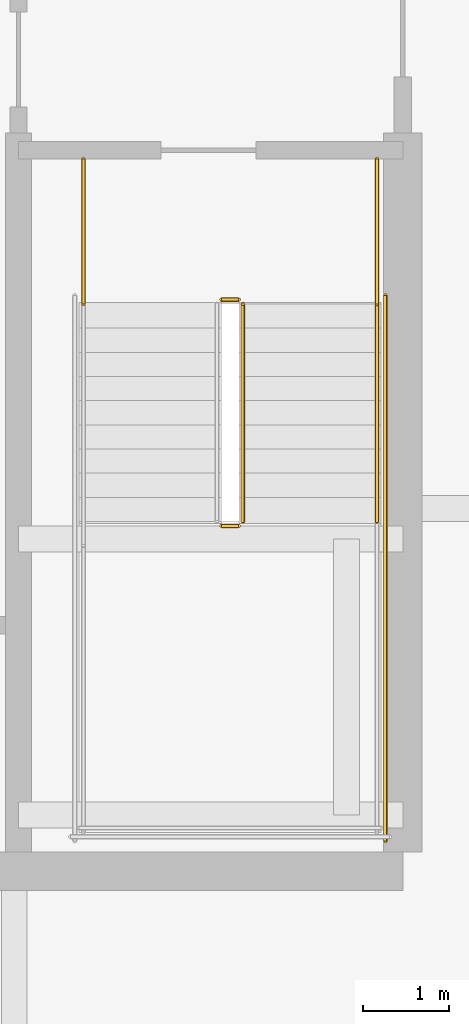
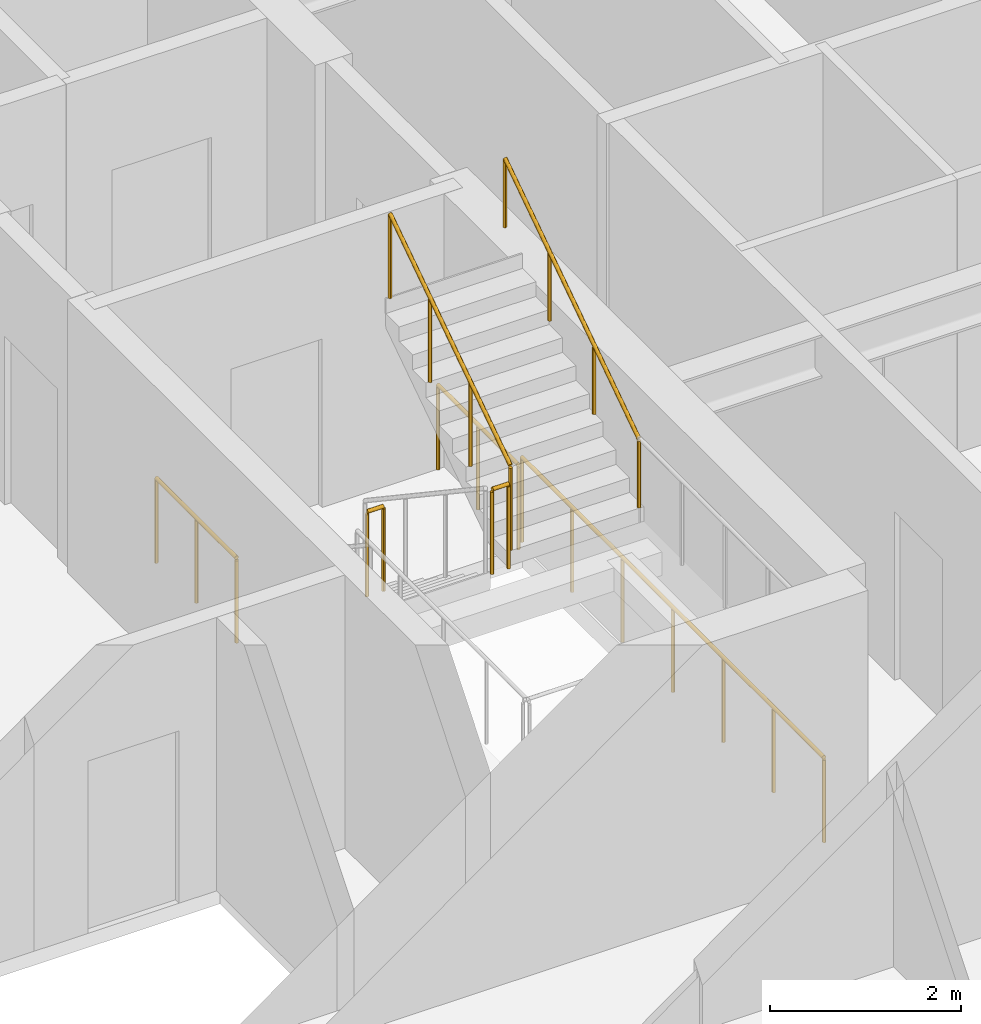
# One storey, part 32 of 34: 7 railings.
"""IFC4 building model written with IfcOpenShell, lengths in metres."""

import ifcopenshell
import ifcopenshell.guid

model = None  # the IFC model being written
_history = None  # IfcOwnerHistory: only IFC2X3 demands one
_inside = {}  # id of a spatial element -> (the spatial element, [elements in it])
_under = {}  # id of a project, library or spatial element -> (it, [spatial elements below it])
_declared = {}  # id of a project -> (the project, [libraries it declares])
_typed = {}  # id of a type object -> (the type object, [elements of that type])
_made_of = {}  # id of a material, layer set ... -> (it, [elements and type objects made of it])


def new_model(schema):
    """Start an empty IFC model of exactly this schema.

    Asked for "IFC4X3", IfcOpenShell would pick the latest addendum, in which some entities
    have other attributes; the version numbers below select the first issue.
    IFC2X3 requires an IfcOwnerHistory on every rooted entity: one is made here for all.
    """
    global model, _history
    if schema == "IFC4X3":
        model = ifcopenshell.file(schema_version=(4, 3, 0, 0))
    else:
        model = ifcopenshell.file(schema=schema)
    _inside.clear()
    _under.clear()
    _declared.clear()
    _typed.clear()
    _made_of.clear()
    _history = None
    if model.schema == "IFC2X3":
        org = make("IfcOrganization", Name="unknown")
        user = make(
            "IfcPersonAndOrganization",
            ThePerson=make("IfcPerson", FamilyName="unknown"),
            TheOrganization=org,
        )
        app = make(
            "IfcApplication",
            ApplicationDeveloper=org,
            Version="unknown",
            ApplicationFullName="unknown",
            ApplicationIdentifier="unknown",
        )
        _history = make(
            "IfcOwnerHistory",
            OwningUser=user,
            OwningApplication=app,
            ChangeAction="ADDED",
            CreationDate=0,
        )
    return model


def make(cls, **values):
    """One entity of the class cls with the attributes given. An attribute that is None is left unset."""
    return model.create_entity(
        cls, **{name: value for name, value in values.items() if value is not None}
    )


def rooted(cls, **values):
    """An entity with a GlobalId (a new one), such as an element, a storey or a relation."""
    return make(cls, GlobalId=ifcopenshell.guid.new(), OwnerHistory=_history, **values)


def si_unit(unit_type, name, prefix=None):
    """IfcSIUnit, for example si_unit("LENGTHUNIT", "METRE", prefix="MILLI")."""
    return make("IfcSIUnit", UnitType=unit_type, Prefix=prefix, Name=name)


def assignment(units):
    """IfcUnitAssignment: the units of a project."""
    return None if units is None else make("IfcUnitAssignment", Units=units)


def point(xyz):
    """IfcCartesianPoint."""
    return None if xyz is None else make("IfcCartesianPoint", Coordinates=xyz)


def direction(xyz):
    """IfcDirection."""
    return None if xyz is None else make("IfcDirection", DirectionRatios=xyz)


def frame(location, z_axis=None, x_axis=None):
    """IfcAxis2Placement3D, a coordinate frame: its origin and axes. An axis left out is left unset."""
    return make(
        "IfcAxis2Placement3D",
        Location=point(location),
        Axis=direction(z_axis),
        RefDirection=direction(x_axis),
    )


def frame_2d(location, x_axis=None):
    """IfcAxis2Placement2D, a coordinate frame in the plane: its origin and x axis."""
    return make(
        "IfcAxis2Placement2D", Location=point(location), RefDirection=direction(x_axis)
    )


def origin():
    """The frame at (0, 0, 0) with its axes left unset."""
    return frame((0.0, 0.0, 0.0))


def origin_2d():
    """The frame at (0, 0) in the plane with its x axis left unset."""
    return frame_2d((0.0, 0.0))


def place(relative_to, where):
    """IfcLocalPlacement: puts the frame where relative to a parent placement (None: the world)."""
    return make(
        "IfcLocalPlacement", PlacementRelTo=relative_to, RelativePlacement=where
    )


def context(
    kind, dimensions, precision=None, world=None, true_north=None, identifier=None
):
    """IfcGeometricRepresentationContext, for example the 3D "Model" context."""
    return make(
        "IfcGeometricRepresentationContext",
        ContextIdentifier=identifier,
        ContextType=kind,
        CoordinateSpaceDimension=dimensions,
        Precision=precision,
        WorldCoordinateSystem=world,
        TrueNorth=true_north,
    )


def subcontext(parent, identifier, kind, view, scale=None):
    """IfcGeometricRepresentationSubContext, for example "Body" below "Model"."""
    return make(
        "IfcGeometricRepresentationSubContext",
        ContextIdentifier=identifier,
        ContextType=kind,
        ParentContext=parent,
        TargetScale=scale,
        TargetView=view,
    )


def project(units=None, contexts=None):
    """IfcProject with its units and contexts."""
    return rooted(
        "IfcProject",
        Name="project",
        RepresentationContexts=contexts,
        UnitsInContext=assignment(units),
    )


def spatial(cls, under=None, at=None, **own):
    """A site, building, storey or space (cls), placed at a placement, below another one or the project."""
    s = rooted(cls, ObjectPlacement=at, **own)
    if under is not None:
        _under.setdefault(under.id(), (under, []))[1].append(s)
    return s


def profile(cls, at=None, kind="AREA", **sizes):
    """A parametric profile (cls). Its sizes go by their IFC names, for example OverallWidth=200.0."""
    return make(cls, ProfileType=kind, Position=at, **sizes)


def circle(**sizes):
    """IfcCircleProfileDef."""
    return profile("IfcCircleProfileDef", **sizes)


def extrude(swept, where, along, depth):
    """IfcExtrudedAreaSolid: the profile swept, set in the frame where, extruded along a direction by depth."""
    return make(
        "IfcExtrudedAreaSolid",
        SweptArea=swept,
        Position=where,
        ExtrudedDirection=direction(along),
        Depth=depth,
    )


def shape(context_of_items, identifier, shape_type, items):
    """IfcShapeRepresentation: the items that make up one representation, for example the "Body"."""
    return make(
        "IfcShapeRepresentation",
        ContextOfItems=context_of_items,
        RepresentationIdentifier=identifier,
        RepresentationType=shape_type,
        Items=items,
    )


def material(Name=None, Category=None):
    """IfcMaterial."""
    return make("IfcMaterial", Name=Name, Category=Category)


def made_of(thing, what):
    """Note that an element or type object is made of a material, layer set ...; save() writes the relation."""
    if what is not None:
        _made_of.setdefault(what.id(), (what, []))[1].append(thing)
    return thing


def type_object(cls, material=None, **own):
    """A type object (cls), such as IfcWallType, which elements share."""
    return made_of(rooted(cls, **own), material)


def element(
    cls,
    number,
    at=None,
    inside=None,
    cuts=None,
    type_object=None,
    material=None,
    context=None,
    identifier="Body",
    shape_type=None,
    held_by="IfcProductDefinitionShape",
    body=None,
    shapes=None,
    **own,
):
    """One element of the class cls, such as IfcWall. Its Tag is "e" and its number.

    at: its placement. inside: the storey or other place that contains it. cuts: it is an
    opening in that element (IfcRelVoidsElement). A single representation is given by context,
    identifier, shape_type and body (its items); several are given by shapes. held_by: the class
    of the entity that holds the representations. save() writes the other relations.
    """
    e = rooted(cls, Tag="e%d" % number, ObjectPlacement=at, **own)
    if body is not None:
        shapes = [shape(context, identifier, shape_type, body)]
    if shapes is not None:
        e.Representation = make(held_by, Representations=shapes)
    if inside is not None:
        _inside.setdefault(inside.id(), (inside, []))[1].append(e)
    if cuts is not None:
        rooted(
            "IfcRelVoidsElement", RelatingBuildingElement=cuts, RelatedOpeningElement=e
        )
    if type_object is not None:
        _typed.setdefault(type_object.id(), (type_object, []))[1].append(e)
    return made_of(e, material)


def aggregate(whole, parts):
    """IfcRelAggregates: a whole, such as a stair, and the parts it consists of."""
    return rooted("IfcRelAggregates", RelatingObject=whole, RelatedObjects=parts)


def save(model, path):
    """Write the relations noted so far, then the file.

    IfcRelAggregates (storeys below a building ...), IfcRelContainedInSpatialStructure (elements
    in a storey), IfcRelDefinesByType, IfcRelAssociatesMaterial and IfcRelDeclares: one each for
    every whole, place, type object, material and project.
    """
    for whole, parts in _under.values():
        aggregate(whole, parts)
    for where, things in _inside.values():
        rooted(
            "IfcRelContainedInSpatialStructure",
            RelatedElements=things,
            RelatingStructure=where,
        )
    for kind, things in _typed.values():
        rooted("IfcRelDefinesByType", RelatedObjects=things, RelatingType=kind)
    for what, things in _made_of.values():
        rooted("IfcRelAssociatesMaterial", RelatedObjects=things, RelatingMaterial=what)
    for by, libraries in _declared.values():
        rooted("IfcRelDeclares", RelatingContext=by, RelatedDefinitions=libraries)
    model.write(path)


model = new_model("IFC4")

# Units and contexts
model_context = context("Model", 3, precision=1e-05, world=origin(), true_north=direction((0.0, 1.0)))
body_context = subcontext(model_context, "Body", "Model", "MODEL_VIEW")
ifc_project = project(units=[si_unit("LENGTHUNIT", "METRE"), si_unit("AREAUNIT", "SQUARE_METRE"), si_unit("VOLUMEUNIT", "CUBIC_METRE"), si_unit("PLANEANGLEUNIT", "RADIAN"), si_unit("MASSUNIT", "GRAM", prefix="KILO")], contexts=[model_context])

# Site, building, storey
site_placement = place(None, origin())
site = spatial("IfcSite", under=ifc_project, at=site_placement, CompositionType="ELEMENT")
building_placement = place(site_placement, origin())
building = spatial("IfcBuilding", under=site, at=building_placement, Name="Serunith Strait Residences", CompositionType="ELEMENT")
storey_placement = place(building_placement, frame((0.0, 0.0, 101.699951171875)))
storey = spatial("IfcBuildingStorey", under=building, at=storey_placement, Name="L25", CompositionType="ELEMENT", Elevation=101.699951171875)

# Railings
ifc_material = material(Name="Brushed stainless steel 316L", Category="steel")
railing_type_1 = type_object("IfcRailingType", Name="RLG-STAIR-GUARD", PredefinedType="BALUSTRADE", material=ifc_material)
railing_1_placement = place(storey_placement, frame((39.300048828125, 20.800048828125, 1.875)))
element("IfcRailing", 1, at=railing_1_placement, inside=storey, type_object=railing_type_1, Name="L25 ST-2 stair guard 2", PredefinedType="BALUSTRADE", context=body_context, shape_type="SweptSolid", body=[
    extrude(circle(Radius=0.02392578125, at=origin_2d()), frame((0.001953125, 0.0, 1.076171875), z_axis=(1.0, 0.0, 0.0), x_axis=(0.0, 1.0, 0.0)), (0.0, 0.0, 1.0), 0.196044921875),
    extrude(circle(Radius=0.02099609375, at=origin_2d()), origin(), (0.0, 0.0, 1.0), 1.050048828125),
    extrude(circle(Radius=0.02099609375, at=origin_2d()), frame((0.199951171875, 0.0, 0.0)), (0.0, 0.0, 1.0), 1.050048828125),
])
railing_2_placement = place(storey_placement, frame((39.550048828125, 20.85009765625, 2.0625)))
element("IfcRailing", 2, at=railing_2_placement, inside=storey, type_object=railing_type_1, Name="L25 ST-2 stair guard 6", PredefinedType="BALUSTRADE", context=body_context, shape_type="SweptSolid", body=[
    extrude(circle(Radius=0.02392578125, at=origin_2d()), frame((0.0, 0.001708984375, 1.0771484375), z_axis=(0.0, 0.830909170722, 0.55640807867), x_axis=(-1.0, 0.0, 0.0)), (0.0, 0.0, 1.0), 3.02880859375),
    extrude(circle(Radius=0.02099609375, at=origin_2d()), origin(), (0.0, 0.0, 1.0), 1.050048828125),
    extrude(circle(Radius=0.02099609375, at=origin_2d()), frame((0.0, 0.840087890625, 0.5625)), (0.0, 0.0, 1.0), 1.050048828125),
    extrude(circle(Radius=0.02099609375, at=origin_2d()), frame((0.0, 1.679931640625, 1.125)), (0.0, 0.0, 1.0), 1.050048828125),
    extrude(circle(Radius=0.02099609375, at=origin_2d()), frame((0.0, 2.52001953125, 1.6875)), (0.0, 0.0, 1.0), 1.050048828125),
])
railing_3_placement = place(storey_placement, frame((39.300048828125, 23.419921875, 0.0)))
element("IfcRailing", 3, at=railing_3_placement, inside=storey, type_object=railing_type_1, Name="L25 ST-2 stair guard 7", PredefinedType="BALUSTRADE", context=body_context, shape_type="SweptSolid", body=[
    extrude(circle(Radius=0.02392578125, at=origin_2d()), frame((0.001953125, 0.0, 1.076171875), z_axis=(1.0, 0.0, 0.0), x_axis=(0.0, 1.0, 0.0)), (0.0, 0.0, 1.0), 0.196044921875),
    extrude(circle(Radius=0.02099609375, at=origin_2d()), origin(), (0.0, 0.0, 1.0), 1.050048828125),
    extrude(circle(Radius=0.02099609375, at=origin_2d()), frame((0.199951171875, 0.0, 0.0)), (0.0, 0.0, 1.0), 1.050048828125),
])
for number, where, name in (
    (4, (37.699951171875, 25.050048828125, 0.0), "L25 ST-2 stair guard 8"),
    (5, (41.10009765625, 25.050048828125, 0.0), "L25 ST-2 stair guard 9"),
):
    element("IfcRailing", number, at=place(storey_placement, frame(where)), inside=storey, type_object=railing_type_1, Name=name, PredefinedType="BALUSTRADE", context=body_context, shape_type="SweptSolid", body=[
        extrude(circle(Radius=0.02392578125, at=origin_2d()), frame((0.0, -0.001953125, 1.076171875), z_axis=(0.0, -1.0, 0.0), x_axis=(1.0, 0.0, 0.0)), (0.0, 0.0, 1.0), 1.676025390625),
        extrude(circle(Radius=0.02099609375, at=origin_2d()), origin(), (0.0, 0.0, 1.0), 1.050048828125),
        extrude(circle(Radius=0.02099609375, at=origin_2d()), frame((0.0, -0.83984375, 0.0)), (0.0, 0.0, 1.0), 1.050048828125),
        extrude(circle(Radius=0.02099609375, at=origin_2d()), frame((0.0, -1.679931640625, 0.0)), (0.0, 0.0, 1.0), 1.050048828125),
    ])
railing_4_placement = place(storey_placement, frame((41.199951171875, 23.469970703125, 0.0)))
element("IfcRailing", 6, at=railing_4_placement, inside=storey, type_object=railing_type_1, Name="L25 ST-2 stair guard 11", PredefinedType="BALUSTRADE", context=body_context, shape_type="SweptSolid", body=[
    extrude(circle(Radius=0.02392578125, at=origin_2d()), frame((0.0, -0.001953125, 1.076171875), z_axis=(0.0, -1.0, 0.0), x_axis=(1.0, 0.0, 0.0)), (0.0, 0.0, 1.0), 6.316162109375),
    extrude(circle(Radius=0.02099609375, at=origin_2d()), origin(), (0.0, 0.0, 1.0), 1.050048828125),
    extrude(circle(Radius=0.02099609375, at=origin_2d()), frame((0.0, -1.05322265625, 0.0)), (0.0, 0.0, 1.0), 1.050048828125),
    extrude(circle(Radius=0.02099609375, at=origin_2d()), frame((0.0, -2.106689453125, 0.0)), (0.0, 0.0, 1.0), 1.050048828125),
    extrude(circle(Radius=0.02099609375, at=origin_2d()), frame((0.0, -3.16015625, 0.0)), (0.0, 0.0, 1.0), 1.050048828125),
    extrude(circle(Radius=0.02099609375, at=origin_2d()), frame((0.0, -4.21337890625, 0.0)), (0.0, 0.0, 1.0), 1.050048828125),
    extrude(circle(Radius=0.02099609375, at=origin_2d()), frame((0.0, -5.2666015625, 0.0)), (0.0, 0.0, 1.0), 1.050048828125),
    extrude(circle(Radius=0.02099609375, at=origin_2d()), frame((0.0, -6.320068359375, 0.0)), (0.0, 0.0, 1.0), 1.050048828125),
])
railing_type_2 = type_object("IfcRailingType", Name="RLG-STAIR-HR", PredefinedType="HANDRAIL", material=ifc_material)
railing_5_placement = place(storey_placement, frame((41.10009765625, 20.85009765625, 2.0625)))
element("IfcRailing", 7, at=railing_5_placement, inside=storey, type_object=railing_type_2, Name="L25 ST-2 stair handrail 2", PredefinedType="HANDRAIL", context=body_context, shape_type="SweptSolid", body=[
    extrude(circle(Radius=0.02392578125, at=origin_2d()), frame((0.0, 0.001708984375, 0.876953125), z_axis=(0.0, 0.830185712471, 0.557486935101), x_axis=(-1.0, 0.0, 0.0)), (0.0, 0.0, 1.0), 3.368408203125),
    extrude(circle(Radius=0.02099609375, at=origin_2d()), origin(), (0.0, 0.0, 1.0), 0.849853515625),
    extrude(circle(Radius=0.02099609375, at=origin_2d()), frame((0.0, 0.933349609375, 0.626708984375)), (0.0, 0.0, 1.0), 0.849853515625),
    extrude(circle(Radius=0.02099609375, at=origin_2d()), frame((0.0, 1.866455078125, 1.25341796875)), (0.0, 0.0, 1.0), 0.849853515625),
    extrude(circle(Radius=0.02099609375, at=origin_2d()), frame((0.0, 2.7998046875, 1.880126953125)), (0.0, 0.0, 1.0), 0.849853515625),
])

save(model, "model.ifc")
